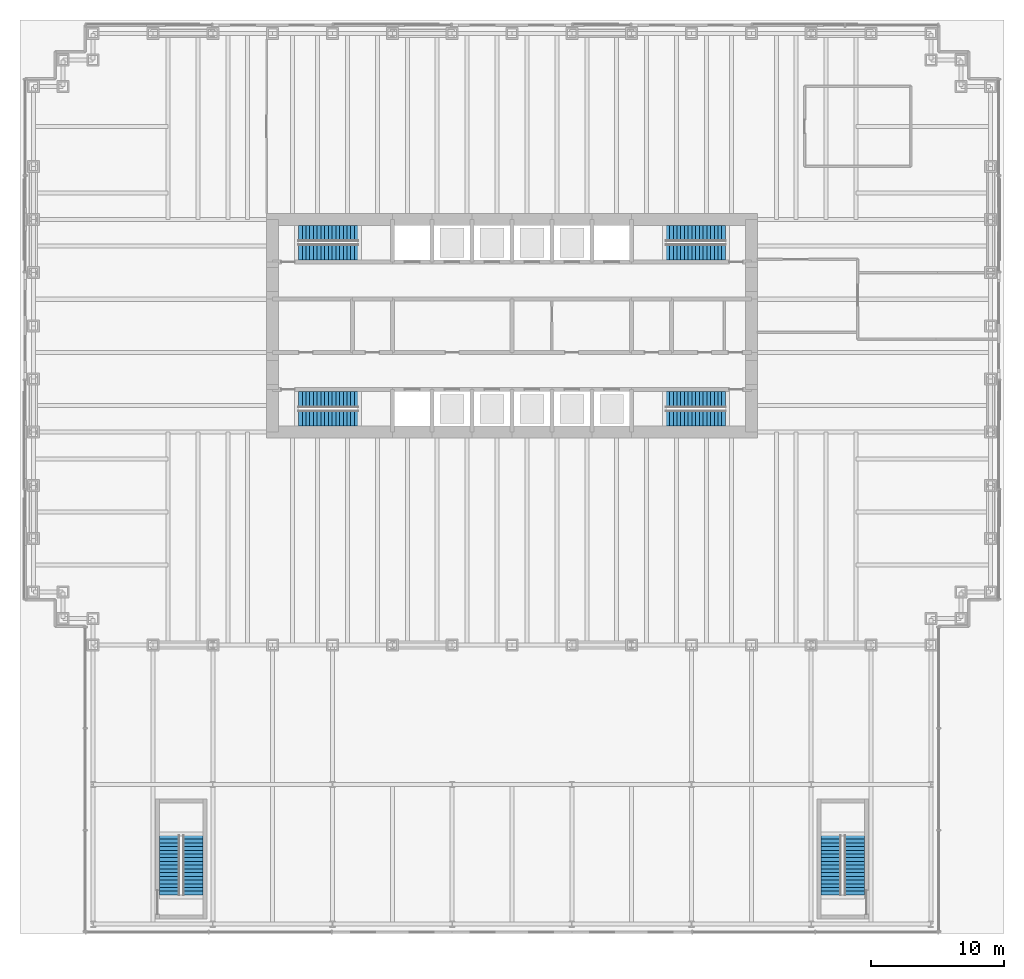
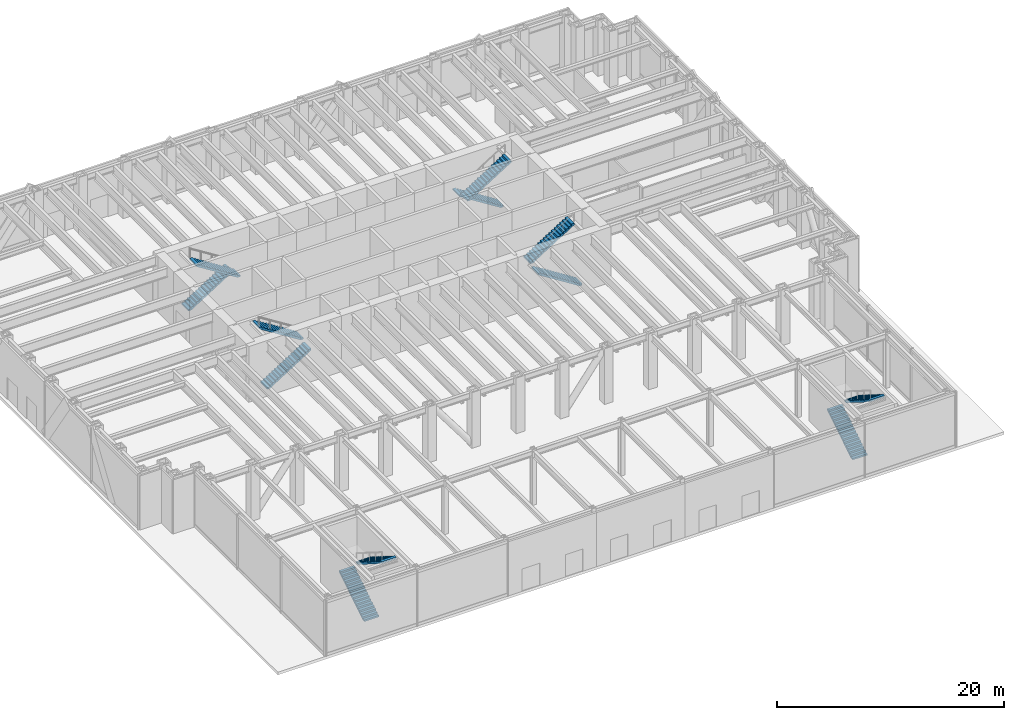
# One storey, part 15 of 17: 12 stair flights, 6 elements without a shape of their own.
"""IFC4 building model written with IfcOpenShell, lengths in metres."""

from ifc_helpers import new_model, si_unit, direction, frame, origin, place, context, subcontext, project, spatial, polyline, outline, extrude, material, type_object, element, aggregate, save


model = new_model("IFC4")

# Units and contexts
model_context = context("Model", 3, precision=1e-05, world=origin(), true_north=direction((0.0, 1.0)))
body_context = subcontext(model_context, "Body", "Model", "MODEL_VIEW")
ifc_project = project(units=[si_unit("LENGTHUNIT", "METRE"), si_unit("AREAUNIT", "SQUARE_METRE"), si_unit("VOLUMEUNIT", "CUBIC_METRE"), si_unit("PLANEANGLEUNIT", "RADIAN"), si_unit("MASSUNIT", "GRAM", prefix="KILO")], contexts=[model_context])

# Site, building, storey
site_placement = place(None, origin())
site = spatial("IfcSite", under=ifc_project, at=site_placement, CompositionType="ELEMENT")
building_placement = place(site_placement, origin())
building = spatial("IfcBuilding", under=site, at=building_placement, Name="Rheinbord Bourse Tower", CompositionType="ELEMENT")
storey_placement = place(building_placement, origin())
storey = spatial("IfcBuildingStorey", under=building, at=storey_placement, Name="L00", CompositionType="ELEMENT", Elevation=0.0)

# Stair, stair flights
ifc_material_1 = material(Name="Concrete C30/37", Category="concrete")
stair_type_1 = type_object("IfcStairType", Name="CORE STAIR HALF TURN 6000", PredefinedType="HALF_TURN_STAIR", material=ifc_material_1)
stair_1_placement = place(storey_placement, origin())
stair_1 = element("IfcStair", 1, at=stair_1_placement, inside=storey, type_object=stair_type_1, Name="Stair ST1 L00, type CS1", PredefinedType="HALF_TURN_STAIR")
ifc_material_2 = material(Name="Concrete C30/37", Category="concrete")
stair_flight_type_1 = type_object("IfcStairFlightType", Name="CORE STAIR FLIGHT 1200, 17 RISERS", PredefinedType="STRAIGHT", material=ifc_material_2)
stair_flight_1_placement = place(storey_placement, frame((19.949951171875, 17.050048828125, 0.0), z_axis=(0.0, 0.0, 1.0), x_axis=(1.0, 0.0, 0.0)))
stair_flight_1 = element("IfcStairFlight", 2, at=stair_flight_1_placement, type_object=stair_flight_type_1, Name="STAIR L00 ST1 F1", NumberOfRisers=17, NumberOfTreads=16, PredefinedType="STRAIGHT", RiserHeight=0.176470588, TreadLength=0.28, context=body_context, shape_type="SweptSolid", body=[
    extrude(outline(polyline([(0.0, 0.0), (0.0, 0.176513671875), (0.280029296875, 0.176513671875), (0.280029296875, 0.35302734375), (0.56005859375, 0.35302734375), (0.56005859375, 0.529296875), (0.840087890625, 0.529296875), (0.840087890625, 0.705810546875), (1.1201171875, 0.705810546875), (1.1201171875, 0.88232421875), (1.39990234375, 0.88232421875), (1.39990234375, 1.058837890625), (1.679931640625, 1.058837890625), (1.679931640625, 1.2353515625), (1.9599609375, 1.2353515625), (1.9599609375, 1.411865234375), (2.239990234375, 1.411865234375), (2.239990234375, 1.588134765625), (2.52001953125, 1.588134765625), (2.52001953125, 1.7646484375), (2.800048828125, 1.7646484375), (2.800048828125, 1.941162109375), (3.080078125, 1.941162109375), (3.080078125, 2.11767578125), (3.360107421875, 2.11767578125), (3.360107421875, 2.294189453125), (3.639892578125, 2.294189453125), (3.639892578125, 2.470703125), (3.919921875, 2.470703125), (3.919921875, 2.64697265625), (4.199951171875, 2.64697265625), (4.199951171875, 2.823486328125), (4.47998046875, 2.823486328125), (4.47998046875, 3.0), (4.47998046875, 2.646240234375), (0.28125, 0.0), (0.0, 0.0)])), frame((0.0, 0.60009765625, 0.0), z_axis=(0.0, -1.0, 0.0), x_axis=(1.0, 0.0, 0.0)), (0.0, 0.0, 1.0), 1.199951171875),
])
stair_flight_2_placement = place(storey_placement, frame((24.429931640625, 18.449951171875, 3.0), z_axis=(0.0, 0.0, 1.0), x_axis=(-1.0, 0.0, 0.0)))
stair_flight_2 = element("IfcStairFlight", 3, at=stair_flight_2_placement, type_object=stair_flight_type_1, Name="STAIR L00 ST1 F2", NumberOfRisers=17, NumberOfTreads=16, PredefinedType="STRAIGHT", RiserHeight=0.176470588, TreadLength=0.28, context=body_context, shape_type="SweptSolid", body=[
    extrude(outline(polyline([(0.0, 0.0), (0.0, 0.176513671875), (0.280029296875, 0.176513671875), (0.280029296875, 0.35302734375), (0.56005859375, 0.35302734375), (0.56005859375, 0.529296875), (0.840087890625, 0.529296875), (0.840087890625, 0.705810546875), (1.1201171875, 0.705810546875), (1.1201171875, 0.88232421875), (1.39990234375, 0.88232421875), (1.39990234375, 1.058837890625), (1.679931640625, 1.058837890625), (1.679931640625, 1.2353515625), (1.9599609375, 1.2353515625), (1.9599609375, 1.411865234375), (2.239990234375, 1.411865234375), (2.239990234375, 1.588134765625), (2.52001953125, 1.588134765625), (2.52001953125, 1.7646484375), (2.800048828125, 1.7646484375), (2.800048828125, 1.941162109375), (3.080078125, 1.941162109375), (3.080078125, 2.11767578125), (3.360107421875, 2.11767578125), (3.360107421875, 2.294189453125), (3.639892578125, 2.294189453125), (3.639892578125, 2.470703125), (3.919921875, 2.470703125), (3.919921875, 2.64697265625), (4.199951171875, 2.64697265625), (4.199951171875, 2.823486328125), (4.47998046875, 2.823486328125), (4.47998046875, 3.0), (4.47998046875, 2.646240234375), (0.28125, 0.0), (0.0, 0.0)])), frame((0.0, 0.60009765625, 0.0), z_axis=(0.0, -1.0, 0.0), x_axis=(1.0, 0.0, 0.0)), (0.0, 0.0, 1.0), 1.199951171875),
])
aggregate(stair_1, [stair_flight_1, stair_flight_2])

stair_2_placement = place(storey_placement, origin())
stair_2 = element("IfcStair", 4, at=stair_2_placement, inside=storey, type_object=stair_type_1, Name="Stair ST2 L00, type CS1", PredefinedType="HALF_TURN_STAIR")
stair_flight_3_placement = place(storey_placement, frame((19.949951171875, 30.949951171875, 0.0), z_axis=(0.0, 0.0, 1.0), x_axis=(1.0, 0.0, 0.0)))
stair_flight_3 = element("IfcStairFlight", 5, at=stair_flight_3_placement, type_object=stair_flight_type_1, Name="STAIR L00 ST2 F1", NumberOfRisers=17, NumberOfTreads=16, PredefinedType="STRAIGHT", RiserHeight=0.176470588, TreadLength=0.28, context=body_context, shape_type="SweptSolid", body=[
    extrude(outline(polyline([(0.0, 0.0), (0.0, 0.176513671875), (0.280029296875, 0.176513671875), (0.280029296875, 0.35302734375), (0.56005859375, 0.35302734375), (0.56005859375, 0.529296875), (0.840087890625, 0.529296875), (0.840087890625, 0.705810546875), (1.1201171875, 0.705810546875), (1.1201171875, 0.88232421875), (1.39990234375, 0.88232421875), (1.39990234375, 1.058837890625), (1.679931640625, 1.058837890625), (1.679931640625, 1.2353515625), (1.9599609375, 1.2353515625), (1.9599609375, 1.411865234375), (2.239990234375, 1.411865234375), (2.239990234375, 1.588134765625), (2.52001953125, 1.588134765625), (2.52001953125, 1.7646484375), (2.800048828125, 1.7646484375), (2.800048828125, 1.941162109375), (3.080078125, 1.941162109375), (3.080078125, 2.11767578125), (3.360107421875, 2.11767578125), (3.360107421875, 2.294189453125), (3.639892578125, 2.294189453125), (3.639892578125, 2.470703125), (3.919921875, 2.470703125), (3.919921875, 2.64697265625), (4.199951171875, 2.64697265625), (4.199951171875, 2.823486328125), (4.47998046875, 2.823486328125), (4.47998046875, 3.0), (4.47998046875, 2.646240234375), (0.28125, 0.0), (0.0, 0.0)])), frame((0.0, 0.60009765625, 0.0), z_axis=(0.0, -1.0, 0.0), x_axis=(1.0, 0.0, 0.0)), (0.0, 0.0, 1.0), 1.199951171875),
])
stair_flight_4_placement = place(storey_placement, frame((24.429931640625, 29.550048828125, 3.0), z_axis=(0.0, 0.0, 1.0), x_axis=(-1.0, 0.0, 0.0)))
stair_flight_4 = element("IfcStairFlight", 6, at=stair_flight_4_placement, type_object=stair_flight_type_1, Name="STAIR L00 ST2 F2", NumberOfRisers=17, NumberOfTreads=16, PredefinedType="STRAIGHT", RiserHeight=0.176470588, TreadLength=0.28, context=body_context, shape_type="SweptSolid", body=[
    extrude(outline(polyline([(0.0, 0.0), (0.0, 0.176513671875), (0.280029296875, 0.176513671875), (0.280029296875, 0.35302734375), (0.56005859375, 0.35302734375), (0.56005859375, 0.529296875), (0.840087890625, 0.529296875), (0.840087890625, 0.705810546875), (1.1201171875, 0.705810546875), (1.1201171875, 0.88232421875), (1.39990234375, 0.88232421875), (1.39990234375, 1.058837890625), (1.679931640625, 1.058837890625), (1.679931640625, 1.2353515625), (1.9599609375, 1.2353515625), (1.9599609375, 1.411865234375), (2.239990234375, 1.411865234375), (2.239990234375, 1.588134765625), (2.52001953125, 1.588134765625), (2.52001953125, 1.7646484375), (2.800048828125, 1.7646484375), (2.800048828125, 1.941162109375), (3.080078125, 1.941162109375), (3.080078125, 2.11767578125), (3.360107421875, 2.11767578125), (3.360107421875, 2.294189453125), (3.639892578125, 2.294189453125), (3.639892578125, 2.470703125), (3.919921875, 2.470703125), (3.919921875, 2.64697265625), (4.199951171875, 2.64697265625), (4.199951171875, 2.823486328125), (4.47998046875, 2.823486328125), (4.47998046875, 3.0), (4.47998046875, 2.646240234375), (0.28125, 0.0), (0.0, 0.0)])), frame((0.0, 0.60009765625, 0.0), z_axis=(0.0, -1.0, 0.0), x_axis=(1.0, 0.0, 0.0)), (0.0, 0.0, 1.0), 1.199951171875),
])
aggregate(stair_2, [stair_flight_3, stair_flight_4])

stair_3_placement = place(storey_placement, origin())
stair_3 = element("IfcStair", 7, at=stair_3_placement, inside=storey, type_object=stair_type_1, Name="Stair ST3 L00, type CS1", PredefinedType="HALF_TURN_STAIR")
stair_flight_5_placement = place(storey_placement, frame((52.050048828125, 17.050048828125, 0.0), z_axis=(0.0, 0.0, 1.0), x_axis=(-1.0, 0.0, 0.0)))
stair_flight_5 = element("IfcStairFlight", 8, at=stair_flight_5_placement, type_object=stair_flight_type_1, Name="STAIR L00 ST3 F1", NumberOfRisers=17, NumberOfTreads=16, PredefinedType="STRAIGHT", RiserHeight=0.176470588, TreadLength=0.28, context=body_context, shape_type="SweptSolid", body=[
    extrude(outline(polyline([(0.0, 0.0), (0.0, 0.176513671875), (0.280029296875, 0.176513671875), (0.280029296875, 0.35302734375), (0.56005859375, 0.35302734375), (0.56005859375, 0.529296875), (0.840087890625, 0.529296875), (0.840087890625, 0.705810546875), (1.1201171875, 0.705810546875), (1.1201171875, 0.88232421875), (1.39990234375, 0.88232421875), (1.39990234375, 1.058837890625), (1.679931640625, 1.058837890625), (1.679931640625, 1.2353515625), (1.9599609375, 1.2353515625), (1.9599609375, 1.411865234375), (2.239990234375, 1.411865234375), (2.239990234375, 1.588134765625), (2.52001953125, 1.588134765625), (2.52001953125, 1.7646484375), (2.800048828125, 1.7646484375), (2.800048828125, 1.941162109375), (3.080078125, 1.941162109375), (3.080078125, 2.11767578125), (3.360107421875, 2.11767578125), (3.360107421875, 2.294189453125), (3.639892578125, 2.294189453125), (3.639892578125, 2.470703125), (3.919921875, 2.470703125), (3.919921875, 2.64697265625), (4.199951171875, 2.64697265625), (4.199951171875, 2.823486328125), (4.47998046875, 2.823486328125), (4.47998046875, 3.0), (4.47998046875, 2.646240234375), (0.28125, 0.0), (0.0, 0.0)])), frame((0.0, 0.60009765625, 0.0), z_axis=(0.0, -1.0, 0.0), x_axis=(1.0, 0.0, 0.0)), (0.0, 0.0, 1.0), 1.199951171875),
])
stair_flight_6_placement = place(storey_placement, frame((47.570068359375, 18.449951171875, 3.0), z_axis=(0.0, 0.0, 1.0), x_axis=(1.0, 0.0, 0.0)))
stair_flight_6 = element("IfcStairFlight", 9, at=stair_flight_6_placement, type_object=stair_flight_type_1, Name="STAIR L00 ST3 F2", NumberOfRisers=17, NumberOfTreads=16, PredefinedType="STRAIGHT", RiserHeight=0.176470588, TreadLength=0.28, context=body_context, shape_type="SweptSolid", body=[
    extrude(outline(polyline([(0.0, 0.0), (0.0, 0.176513671875), (0.280029296875, 0.176513671875), (0.280029296875, 0.35302734375), (0.56005859375, 0.35302734375), (0.56005859375, 0.529296875), (0.840087890625, 0.529296875), (0.840087890625, 0.705810546875), (1.1201171875, 0.705810546875), (1.1201171875, 0.88232421875), (1.39990234375, 0.88232421875), (1.39990234375, 1.058837890625), (1.679931640625, 1.058837890625), (1.679931640625, 1.2353515625), (1.9599609375, 1.2353515625), (1.9599609375, 1.411865234375), (2.239990234375, 1.411865234375), (2.239990234375, 1.588134765625), (2.52001953125, 1.588134765625), (2.52001953125, 1.7646484375), (2.800048828125, 1.7646484375), (2.800048828125, 1.941162109375), (3.080078125, 1.941162109375), (3.080078125, 2.11767578125), (3.360107421875, 2.11767578125), (3.360107421875, 2.294189453125), (3.639892578125, 2.294189453125), (3.639892578125, 2.470703125), (3.919921875, 2.470703125), (3.919921875, 2.64697265625), (4.199951171875, 2.64697265625), (4.199951171875, 2.823486328125), (4.47998046875, 2.823486328125), (4.47998046875, 3.0), (4.47998046875, 2.646240234375), (0.28125, 0.0), (0.0, 0.0)])), frame((0.0, 0.60009765625, 0.0), z_axis=(0.0, -1.0, 0.0), x_axis=(1.0, 0.0, 0.0)), (0.0, 0.0, 1.0), 1.199951171875),
])
aggregate(stair_3, [stair_flight_5, stair_flight_6])

stair_4_placement = place(storey_placement, origin())
stair_4 = element("IfcStair", 10, at=stair_4_placement, inside=storey, type_object=stair_type_1, Name="Stair ST4 L00, type CS1", PredefinedType="HALF_TURN_STAIR")
stair_flight_7_placement = place(storey_placement, frame((52.050048828125, 30.949951171875, 0.0), z_axis=(0.0, 0.0, 1.0), x_axis=(-1.0, 0.0, 0.0)))
stair_flight_7 = element("IfcStairFlight", 11, at=stair_flight_7_placement, type_object=stair_flight_type_1, Name="STAIR L00 ST4 F1", NumberOfRisers=17, NumberOfTreads=16, PredefinedType="STRAIGHT", RiserHeight=0.176470588, TreadLength=0.28, context=body_context, shape_type="SweptSolid", body=[
    extrude(outline(polyline([(0.0, 0.0), (0.0, 0.176513671875), (0.280029296875, 0.176513671875), (0.280029296875, 0.35302734375), (0.56005859375, 0.35302734375), (0.56005859375, 0.529296875), (0.840087890625, 0.529296875), (0.840087890625, 0.705810546875), (1.1201171875, 0.705810546875), (1.1201171875, 0.88232421875), (1.39990234375, 0.88232421875), (1.39990234375, 1.058837890625), (1.679931640625, 1.058837890625), (1.679931640625, 1.2353515625), (1.9599609375, 1.2353515625), (1.9599609375, 1.411865234375), (2.239990234375, 1.411865234375), (2.239990234375, 1.588134765625), (2.52001953125, 1.588134765625), (2.52001953125, 1.7646484375), (2.800048828125, 1.7646484375), (2.800048828125, 1.941162109375), (3.080078125, 1.941162109375), (3.080078125, 2.11767578125), (3.360107421875, 2.11767578125), (3.360107421875, 2.294189453125), (3.639892578125, 2.294189453125), (3.639892578125, 2.470703125), (3.919921875, 2.470703125), (3.919921875, 2.64697265625), (4.199951171875, 2.64697265625), (4.199951171875, 2.823486328125), (4.47998046875, 2.823486328125), (4.47998046875, 3.0), (4.47998046875, 2.646240234375), (0.28125, 0.0), (0.0, 0.0)])), frame((0.0, 0.60009765625, 0.0), z_axis=(0.0, -1.0, 0.0), x_axis=(1.0, 0.0, 0.0)), (0.0, 0.0, 1.0), 1.199951171875),
])
stair_flight_8_placement = place(storey_placement, frame((47.570068359375, 29.550048828125, 3.0), z_axis=(0.0, 0.0, 1.0), x_axis=(1.0, 0.0, 0.0)))
stair_flight_8 = element("IfcStairFlight", 12, at=stair_flight_8_placement, type_object=stair_flight_type_1, Name="STAIR L00 ST4 F2", NumberOfRisers=17, NumberOfTreads=16, PredefinedType="STRAIGHT", RiserHeight=0.176470588, TreadLength=0.28, context=body_context, shape_type="SweptSolid", body=[
    extrude(outline(polyline([(0.0, 0.0), (0.0, 0.176513671875), (0.280029296875, 0.176513671875), (0.280029296875, 0.35302734375), (0.56005859375, 0.35302734375), (0.56005859375, 0.529296875), (0.840087890625, 0.529296875), (0.840087890625, 0.705810546875), (1.1201171875, 0.705810546875), (1.1201171875, 0.88232421875), (1.39990234375, 0.88232421875), (1.39990234375, 1.058837890625), (1.679931640625, 1.058837890625), (1.679931640625, 1.2353515625), (1.9599609375, 1.2353515625), (1.9599609375, 1.411865234375), (2.239990234375, 1.411865234375), (2.239990234375, 1.588134765625), (2.52001953125, 1.588134765625), (2.52001953125, 1.7646484375), (2.800048828125, 1.7646484375), (2.800048828125, 1.941162109375), (3.080078125, 1.941162109375), (3.080078125, 2.11767578125), (3.360107421875, 2.11767578125), (3.360107421875, 2.294189453125), (3.639892578125, 2.294189453125), (3.639892578125, 2.470703125), (3.919921875, 2.470703125), (3.919921875, 2.64697265625), (4.199951171875, 2.64697265625), (4.199951171875, 2.823486328125), (4.47998046875, 2.823486328125), (4.47998046875, 3.0), (4.47998046875, 2.646240234375), (0.28125, 0.0), (0.0, 0.0)])), frame((0.0, 0.60009765625, 0.0), z_axis=(0.0, -1.0, 0.0), x_axis=(1.0, 0.0, 0.0)), (0.0, 0.0, 1.0), 1.199951171875),
])
aggregate(stair_4, [stair_flight_7, stair_flight_8])

ifc_material_3 = material(Name="Concrete C30/37", Category="concrete")
stair_type_2 = type_object("IfcStairType", Name="PODIUM STAIR HALF TURN", PredefinedType="HALF_TURN_STAIR", material=ifc_material_3)
stair_5_placement = place(storey_placement, origin())
stair_5 = element("IfcStair", 13, at=stair_5_placement, inside=storey, type_object=stair_type_2, Name="Stair ST5 L00, type PS1", PredefinedType="HALF_TURN_STAIR")
ifc_material_4 = material(Name="Concrete C30/37", Category="concrete")
stair_flight_type_2 = type_object("IfcStairFlightType", Name="PODIUM STAIR FLIGHT 1500", PredefinedType="STRAIGHT", material=ifc_material_4)
stair_flight_9_placement = place(storey_placement, frame((10.25, -18.800048828125, 0.0), z_axis=(0.0, 0.0, 1.0), x_axis=(0.0, 1.0, 0.0)))
stair_flight_9 = element("IfcStairFlight", 14, at=stair_flight_9_placement, type_object=stair_flight_type_2, Name="STAIR L00 ST5 F1", NumberOfRisers=17, NumberOfTreads=16, PredefinedType="STRAIGHT", RiserHeight=0.176470588, TreadLength=0.28, context=body_context, shape_type="SweptSolid", body=[
    extrude(outline(polyline([(0.0, 0.0), (0.0, 0.176513671875), (0.280029296875, 0.176513671875), (0.280029296875, 0.35302734375), (0.56005859375, 0.35302734375), (0.56005859375, 0.529296875), (0.840087890625, 0.529296875), (0.840087890625, 0.705810546875), (1.1201171875, 0.705810546875), (1.1201171875, 0.88232421875), (1.39990234375, 0.88232421875), (1.39990234375, 1.058837890625), (1.679931640625, 1.058837890625), (1.679931640625, 1.2353515625), (1.9599609375, 1.2353515625), (1.9599609375, 1.411865234375), (2.239990234375, 1.411865234375), (2.239990234375, 1.588134765625), (2.52001953125, 1.588134765625), (2.52001953125, 1.7646484375), (2.800048828125, 1.7646484375), (2.800048828125, 1.941162109375), (3.080078125, 1.941162109375), (3.080078125, 2.11767578125), (3.360107421875, 2.11767578125), (3.360107421875, 2.294189453125), (3.639892578125, 2.294189453125), (3.639892578125, 2.470703125), (3.919921875, 2.470703125), (3.919921875, 2.64697265625), (4.199951171875, 2.64697265625), (4.199951171875, 2.823486328125), (4.47998046875, 2.823486328125), (4.47998046875, 3.0), (4.47998046875, 2.646240234375), (0.28125, 0.0), (0.0, 0.0)])), frame((0.0, 0.75, 0.0), z_axis=(0.0, -1.0, 0.0), x_axis=(1.0, 0.0, 0.0)), (0.0, 0.0, 1.0), 1.5),
])
stair_flight_10_placement = place(storey_placement, frame((12.0, -14.320068359375, 3.0), z_axis=(0.0, 0.0, 1.0), x_axis=(0.0, -1.0, 0.0)))
stair_flight_10 = element("IfcStairFlight", 15, at=stair_flight_10_placement, type_object=stair_flight_type_2, Name="STAIR L00 ST5 F2", NumberOfRisers=17, NumberOfTreads=16, PredefinedType="STRAIGHT", RiserHeight=0.176470588, TreadLength=0.28, context=body_context, shape_type="SweptSolid", body=[
    extrude(outline(polyline([(0.0, 0.0), (0.0, 0.176513671875), (0.280029296875, 0.176513671875), (0.280029296875, 0.35302734375), (0.56005859375, 0.35302734375), (0.56005859375, 0.529296875), (0.840087890625, 0.529296875), (0.840087890625, 0.705810546875), (1.1201171875, 0.705810546875), (1.1201171875, 0.88232421875), (1.39990234375, 0.88232421875), (1.39990234375, 1.058837890625), (1.679931640625, 1.058837890625), (1.679931640625, 1.2353515625), (1.9599609375, 1.2353515625), (1.9599609375, 1.411865234375), (2.239990234375, 1.411865234375), (2.239990234375, 1.588134765625), (2.52001953125, 1.588134765625), (2.52001953125, 1.7646484375), (2.800048828125, 1.7646484375), (2.800048828125, 1.941162109375), (3.080078125, 1.941162109375), (3.080078125, 2.11767578125), (3.360107421875, 2.11767578125), (3.360107421875, 2.294189453125), (3.639892578125, 2.294189453125), (3.639892578125, 2.470703125), (3.919921875, 2.470703125), (3.919921875, 2.64697265625), (4.199951171875, 2.64697265625), (4.199951171875, 2.823486328125), (4.47998046875, 2.823486328125), (4.47998046875, 3.0), (4.47998046875, 2.646240234375), (0.28125, 0.0), (0.0, 0.0)])), frame((0.0, 0.75, 0.0), z_axis=(0.0, -1.0, 0.0), x_axis=(1.0, 0.0, 0.0)), (0.0, 0.0, 1.0), 1.5),
])
aggregate(stair_5, [stair_flight_9, stair_flight_10])

stair_6_placement = place(storey_placement, origin())
stair_6 = element("IfcStair", 16, at=stair_6_placement, inside=storey, type_object=stair_type_2, Name="Stair ST6 L00, type PS1", PredefinedType="HALF_TURN_STAIR")
stair_flight_11_placement = place(storey_placement, frame((60.0, -18.800048828125, 0.0), z_axis=(0.0, 0.0, 1.0), x_axis=(0.0, 1.0, 0.0)))
stair_flight_11 = element("IfcStairFlight", 17, at=stair_flight_11_placement, type_object=stair_flight_type_2, Name="STAIR L00 ST6 F1", NumberOfRisers=17, NumberOfTreads=16, PredefinedType="STRAIGHT", RiserHeight=0.176470588, TreadLength=0.28, context=body_context, shape_type="SweptSolid", body=[
    extrude(outline(polyline([(0.0, 0.0), (0.0, 0.176513671875), (0.280029296875, 0.176513671875), (0.280029296875, 0.35302734375), (0.56005859375, 0.35302734375), (0.56005859375, 0.529296875), (0.840087890625, 0.529296875), (0.840087890625, 0.705810546875), (1.1201171875, 0.705810546875), (1.1201171875, 0.88232421875), (1.39990234375, 0.88232421875), (1.39990234375, 1.058837890625), (1.679931640625, 1.058837890625), (1.679931640625, 1.2353515625), (1.9599609375, 1.2353515625), (1.9599609375, 1.411865234375), (2.239990234375, 1.411865234375), (2.239990234375, 1.588134765625), (2.52001953125, 1.588134765625), (2.52001953125, 1.7646484375), (2.800048828125, 1.7646484375), (2.800048828125, 1.941162109375), (3.080078125, 1.941162109375), (3.080078125, 2.11767578125), (3.360107421875, 2.11767578125), (3.360107421875, 2.294189453125), (3.639892578125, 2.294189453125), (3.639892578125, 2.470703125), (3.919921875, 2.470703125), (3.919921875, 2.64697265625), (4.199951171875, 2.64697265625), (4.199951171875, 2.823486328125), (4.47998046875, 2.823486328125), (4.47998046875, 3.0), (4.47998046875, 2.646240234375), (0.28125, 0.0), (0.0, 0.0)])), frame((0.0, 0.75, 0.0), z_axis=(0.0, -1.0, 0.0), x_axis=(1.0, 0.0, 0.0)), (0.0, 0.0, 1.0), 1.5),
])
stair_flight_12_placement = place(storey_placement, frame((61.75, -14.320068359375, 3.0), z_axis=(0.0, 0.0, 1.0), x_axis=(0.0, -1.0, 0.0)))
stair_flight_12 = element("IfcStairFlight", 18, at=stair_flight_12_placement, type_object=stair_flight_type_2, Name="STAIR L00 ST6 F2", NumberOfRisers=17, NumberOfTreads=16, PredefinedType="STRAIGHT", RiserHeight=0.176470588, TreadLength=0.28, context=body_context, shape_type="SweptSolid", body=[
    extrude(outline(polyline([(0.0, 0.0), (0.0, 0.176513671875), (0.280029296875, 0.176513671875), (0.280029296875, 0.35302734375), (0.56005859375, 0.35302734375), (0.56005859375, 0.529296875), (0.840087890625, 0.529296875), (0.840087890625, 0.705810546875), (1.1201171875, 0.705810546875), (1.1201171875, 0.88232421875), (1.39990234375, 0.88232421875), (1.39990234375, 1.058837890625), (1.679931640625, 1.058837890625), (1.679931640625, 1.2353515625), (1.9599609375, 1.2353515625), (1.9599609375, 1.411865234375), (2.239990234375, 1.411865234375), (2.239990234375, 1.588134765625), (2.52001953125, 1.588134765625), (2.52001953125, 1.7646484375), (2.800048828125, 1.7646484375), (2.800048828125, 1.941162109375), (3.080078125, 1.941162109375), (3.080078125, 2.11767578125), (3.360107421875, 2.11767578125), (3.360107421875, 2.294189453125), (3.639892578125, 2.294189453125), (3.639892578125, 2.470703125), (3.919921875, 2.470703125), (3.919921875, 2.64697265625), (4.199951171875, 2.64697265625), (4.199951171875, 2.823486328125), (4.47998046875, 2.823486328125), (4.47998046875, 3.0), (4.47998046875, 2.646240234375), (0.28125, 0.0), (0.0, 0.0)])), frame((0.0, 0.75, 0.0), z_axis=(0.0, -1.0, 0.0), x_axis=(1.0, 0.0, 0.0)), (0.0, 0.0, 1.0), 1.5),
])
aggregate(stair_6, [stair_flight_11, stair_flight_12])

save(model, "model.ifc")
